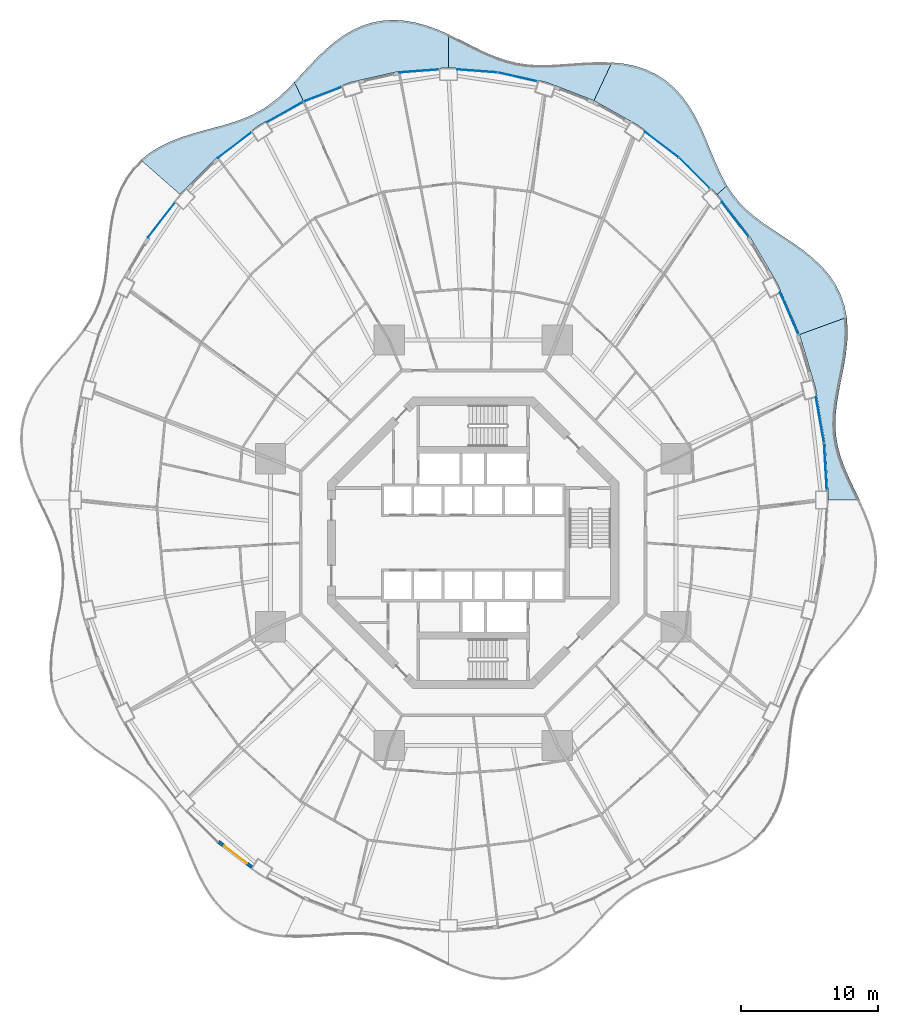
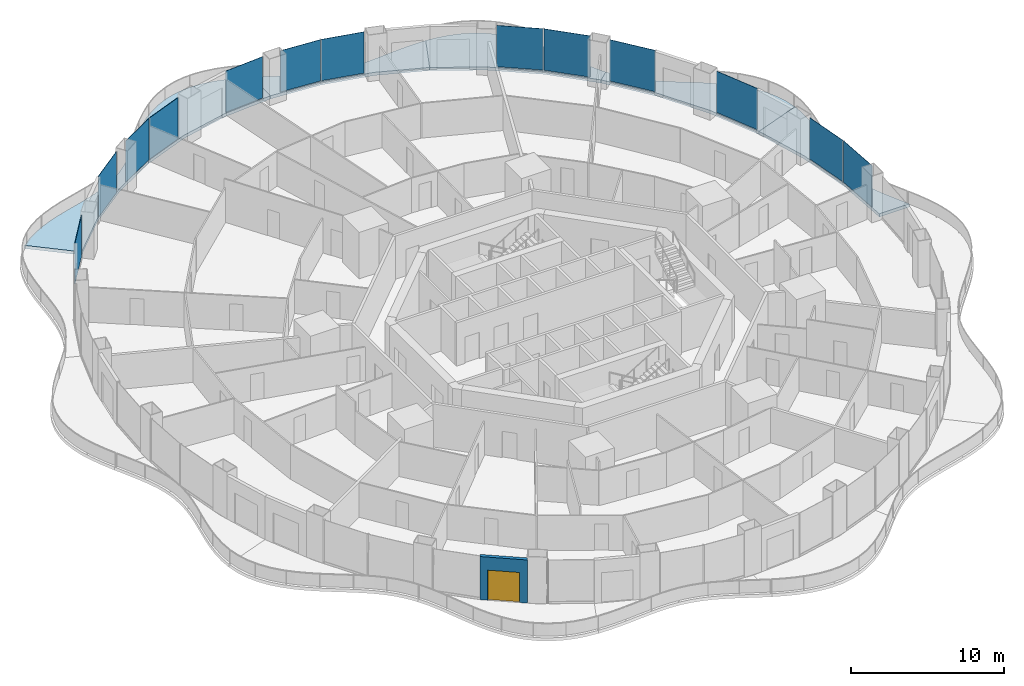
# One storey, part 13 of 22: 13 plates, 6 slabs, 1 door, 1 wall, 1 opening, 13 elements without a shape of their own.
"""IFC4 building model written with IfcOpenShell, lengths in metres."""

from ifc_helpers import new_model, si_unit, direction, frame, frame_2d, origin, origin_2d, place, context, subcontext, project, spatial, polyline, rectangle, outline, extrude, material, layer, layer_set, type_object, element, fill, aggregate, save


model = new_model("IFC4")

# Units and contexts
model_context = context("Model", 3, precision=1e-05, world=origin(), true_north=direction((0.0, 1.0)))
body_context = subcontext(model_context, "Body", "Model", "MODEL_VIEW")
ifc_project = project(units=[si_unit("LENGTHUNIT", "METRE"), si_unit("AREAUNIT", "SQUARE_METRE"), si_unit("VOLUMEUNIT", "CUBIC_METRE"), si_unit("PLANEANGLEUNIT", "RADIAN"), si_unit("MASSUNIT", "GRAM", prefix="KILO")], contexts=[model_context])

# Site, building, storey
site_placement = place(None, origin())
site = spatial("IfcSite", under=ifc_project, at=site_placement, CompositionType="ELEMENT")
building_placement = place(site_placement, origin())
building = spatial("IfcBuilding", under=site, at=building_placement, Name="Nagisa Residences", CompositionType="ELEMENT")
storey_placement = place(building_placement, frame((0.0, 0.0, 84.39990234375)))
storey = spatial("IfcBuildingStorey", under=building, at=storey_placement, Name="L20", CompositionType="ELEMENT", Elevation=84.39990234375)

# Slabs
ifc_material_1 = material(Name="Concrete C40/50", Category="concrete")
ifc_layer_1 = layer(ifc_material_1, 0.25)
ifc_layer_set_1 = layer_set([ifc_layer_1], Name="BALCONY SLAB 250")
slab_type = type_object("IfcSlabType", Name="BALCONY SLAB 250", PredefinedType="FLOOR", material=ifc_layer_set_1)
slab_1_placement = place(storey_placement, frame((0.0, 0.0, -0.25)))
element("IfcSlab", 1, at=slab_1_placement, inside=storey, type_object=slab_type, Name="slab:L20:bal00", PredefinedType="FLOOR", context=body_context, shape_type="SweptSolid", body=[
    extrude(outline(polyline([(28.16650390625, 3.11767578125), (27.776123046875, 3.92724609375), (27.3994140625, 4.721435546875), (27.060302734375, 5.503173828125), (26.779052734375, 6.27783203125), (26.570068359375, 7.05078125), (26.442138671875, 7.828857421875), (26.396728515625, 8.618408203125), (26.4287109375, 9.4248046875), (26.52587890625, 10.25146484375), (26.67138671875, 11.100341796875), (26.8427734375, 11.97021484375), (27.015625, 12.857421875), (27.1640625, 13.756103515625), (27.262939453125, 14.65771484375), (27.2900390625, 15.552734375), (27.226806640625, 16.43017578125), (23.786865234375, 15.177978515625), (24.951416015625, 11.2744140625), (25.657958984375, 7.231201171875), (25.89501953125, 3.11767578125), (28.16650390625, 3.11767578125)])), origin(), (0.0, 0.0, 1.0), 0.25),
])
slab_2_placement = place(storey_placement, frame((0.0, 0.0, -0.25)))
element("IfcSlab", 2, at=slab_2_placement, inside=storey, type_object=slab_type, Name="slab:L20:bal01", PredefinedType="FLOOR", context=body_context, shape_type="SweptSolid", body=[
    extrude(outline(polyline([(27.226806640625, 16.43017578125), (27.066650390625, 17.253662109375), (26.802734375, 18.041748046875), (26.434326171875, 18.787353515625), (25.967041015625, 19.4853515625), (25.41064453125, 20.1337890625), (24.78076171875, 20.733154296875), (24.095458984375, 21.288330078125), (23.3759765625, 21.80615234375), (22.643310546875, 22.297119140625), (21.91845703125, 22.773193359375), (21.219970703125, 23.247802734375), (20.563232421875, 23.734619140625), (19.959228515625, 24.24658203125), (19.414306640625, 24.795166015625), (18.92919921875, 25.388671875), (18.499755859375, 26.03173828125), (17.783203125, 25.402099609375), (20.171875, 22.302734375), (22.1845703125, 18.875244140625), (23.786865234375, 15.177978515625), (27.226806640625, 16.43017578125)])), origin(), (0.0, 0.0, 1.0), 0.25),
])
slab_3_placement = place(storey_placement, frame((0.0, 0.0, -0.25)))
element("IfcSlab", 3, at=slab_3_placement, inside=storey, type_object=slab_type, Name="slab:L20:bal02", PredefinedType="FLOOR", context=body_context, shape_type="SweptSolid", body=[
    extrude(outline(polyline([(18.499755859375, 26.03173828125), (18.134521484375, 26.692138671875), (17.80078125, 27.395263671875), (17.4853515625, 28.134765625), (17.173583984375, 28.900146484375), (16.849853515625, 29.678955078125), (16.499755859375, 30.455078125), (16.10986328125, 31.212646484375), (15.669677734375, 31.933837890625), (15.171142578125, 32.60302734375), (14.60986328125, 33.204833984375), (13.9853515625, 33.727783203125), (13.30029296875, 34.163330078125), (12.560546875, 34.507080078125), (11.77490234375, 34.75927734375), (10.95361328125, 34.9248046875), (10.1083984375, 35.01318359375), (8.79833984375, 32.233642578125), (12.047607421875, 30.410400390625), (15.0595703125, 28.1201171875), (17.783203125, 25.402099609375), (18.499755859375, 26.03173828125)])), origin(), (0.0, 0.0, 1.0), 0.25),
])
slab_4_placement = place(storey_placement, frame((0.0, 0.0, -0.25)))
element("IfcSlab", 4, at=slab_4_placement, inside=storey, type_object=slab_type, Name="slab:L20:bal03", PredefinedType="FLOOR", context=body_context, shape_type="SweptSolid", body=[
    extrude(outline(polyline([(10.1083984375, 35.01318359375), (9.282470703125, 35.037353515625), (8.455322265625, 35.016845703125), (7.635986328125, 34.9677734375), (6.831787109375, 34.907958984375), (6.04736328125, 34.854736328125), (5.28564453125, 34.824462890625), (4.546875, 34.831298828125), (3.828857421875, 34.88623046875), (3.127685546875, 34.9970703125), (2.438232421875, 35.166748046875), (1.753662109375, 35.393798828125), (1.06787109375, 35.673095703125), (0.3740234375, 35.994140625), (-0.332763671875, 36.343994140625), (-1.056884765625, 36.70556640625), (-1.800048828125, 37.061279296875), (-1.800048828125, 34.6328125), (1.81494140625, 34.363037109375), (5.367919921875, 33.558837890625), (8.79833984375, 32.233642578125), (10.1083984375, 35.01318359375)])), origin(), (0.0, 0.0, 1.0), 0.25),
])
slab_5_placement = place(storey_placement, frame((0.0, 0.0, -0.25)))
element("IfcSlab", 5, at=slab_5_placement, inside=storey, type_object=slab_type, Name="slab:L20:bal04", PredefinedType="FLOOR", context=body_context, shape_type="SweptSolid", body=[
    extrude(outline(polyline([(-1.800048828125, 37.061279296875), (-2.5625, 37.391357421875), (-3.34228515625, 37.67724609375), (-4.13525390625, 37.901611328125), (-4.93603515625, 38.049072265625), (-5.737060546875, 38.10791015625), (-6.53125, 38.070068359375), (-7.310791015625, 37.932373046875), (-8.068359375, 37.69580078125), (-8.7978515625, 37.36572265625), (-9.494873046875, 36.9521484375), (-10.157470703125, 36.46826171875), (-10.785400390625, 35.929443359375), (-11.381591796875, 35.353759765625), (-11.950439453125, 34.75927734375), (-12.498779296875, 34.164306640625), (-13.035400390625, 33.585205078125), (-12.3984375, 32.233642578125), (-8.968017578125, 33.558837890625), (-5.4150390625, 34.363037109375), (-1.800048828125, 34.6328125), (-1.800048828125, 37.061279296875)])), origin(), (0.0, 0.0, 1.0), 0.25),
])
slab_6_placement = place(storey_placement, frame((0.0, 0.0, -0.25)))
element("IfcSlab", 6, at=slab_6_placement, inside=storey, type_object=slab_type, Name="slab:L20:bal05", PredefinedType="FLOOR", context=body_context, shape_type="SweptSolid", body=[
    extrude(outline(polyline([(-13.035400390625, 33.585205078125), (-13.589599609375, 33.016357421875), (-14.15185546875, 32.492919921875), (-14.73291015625, 32.023193359375), (-15.34130859375, 31.61083984375), (-15.98388671875, 31.255126953125), (-16.6650390625, 30.951171875), (-17.385009765625, 30.689453125), (-18.141357421875, 30.457763671875), (-18.927734375, 30.24169921875), (-19.73486328125, 30.024658203125), (-20.550048828125, 29.791015625), (-21.359375, 29.525146484375), (-22.147216796875, 29.21337890625), (-22.898681640625, 28.844482421875), (-23.5986328125, 28.410888671875), (-24.234619140625, 27.90771484375), (-21.38330078125, 25.402099609375), (-18.65966796875, 28.1201171875), (-15.6474609375, 30.410400390625), (-12.3984375, 32.233642578125), (-13.035400390625, 33.585205078125)])), origin(), (0.0, 0.0, 1.0), 0.25),
])

# Curtain wall, plate
ifc_material_2 = material(Name="Concrete-coloured aluminium curtain wall system", Category="concrete")
ifc_layer_2 = layer(ifc_material_2, 0.159912109375)
ifc_layer_set_2 = layer_set([ifc_layer_2], Name="CW1 CURTAIN WALL")
curtain_wall_type = type_object("IfcCurtainWallType", Name="CW1 CURTAIN WALL", PredefinedType="NOTDEFINED", material=ifc_layer_set_2)
curtain_wall_1_placement = place(storey_placement, origin())
curtain_wall_1 = element("IfcCurtainWall", 7, at=curtain_wall_1_placement, inside=storey, type_object=curtain_wall_type, Name="cw:CW1:L20:00", PredefinedType="NOTDEFINED")
ifc_material_3 = material(Name="Clear laminated glass", Category="glass")
ifc_layer_3 = layer(ifc_material_3, 0.028076171875)
ifc_layer_set_3 = layer_set([ifc_layer_3], Name="CW1 GLASS PANEL")
plate_type = type_object("IfcPlateType", Name="CW1 GLASS PANEL", PredefinedType="CURTAIN_PANEL", material=ifc_layer_set_3)
plate_1_placement = place(storey_placement, frame((25.67626953125, 5.524169921875, 0.150146484375), z_axis=(0.0, 0.0, 1.0), x_axis=(-0.057503492216, 0.998345305184, 0.0)))
plate_1 = element("IfcPlate", 8, at=plate_1_placement, type_object=plate_type, Name="CW1 panel", PredefinedType="CURTAIN_PANEL", context=body_context, shape_type="SweptSolid", body=[
    extrude(rectangle(XDim=3.410400390625, YDim=0.028076171875, at=origin_2d()), origin(), (0.0, 0.0, 1.0), 3.2900390625),
])
aggregate(curtain_wall_1, [plate_1])

curtain_wall_2_placement = place(storey_placement, origin())
curtain_wall_2 = element("IfcCurtainWall", 9, at=curtain_wall_2_placement, inside=storey, type_object=curtain_wall_type, Name="cw:CW1:L20:01", PredefinedType="NOTDEFINED")
plate_2_placement = place(storey_placement, frame((25.276611328125, 8.948486328125, 0.150146484375), z_axis=(0.0, 0.0, 1.0), x_axis=(-0.172190868898, 0.985063604377, 0.0)))
plate_2 = element("IfcPlate", 10, at=plate_2_placement, type_object=plate_type, Name="CW1 panel", PredefinedType="CURTAIN_PANEL", context=body_context, shape_type="SweptSolid", body=[
    extrude(rectangle(XDim=3.39453125, YDim=0.028076171875, at=origin_2d()), origin(), (0.0, 0.0, 1.0), 3.2900390625),
])
aggregate(curtain_wall_2, [plate_2])

curtain_wall_3_placement = place(storey_placement, origin())
curtain_wall_3 = element("IfcCurtainWall", 11, at=curtain_wall_3_placement, inside=storey, type_object=curtain_wall_type, Name="cw:CW1:L20:03", PredefinedType="NOTDEFINED")
plate_3_placement = place(storey_placement, frame((23.029541015625, 16.72412109375, 0.150146484375), z_axis=(0.0, 0.0, 1.0), x_axis=(-0.397635934147, 0.917543276295, 0.0)))
plate_3 = element("IfcPlate", 12, at=plate_3_placement, type_object=plate_type, Name="CW1 panel", PredefinedType="CURTAIN_PANEL", context=body_context, shape_type="SweptSolid", body=[
    extrude(rectangle(XDim=3.319580078125, YDim=0.028076171875, at=origin_2d()), origin(), (0.0, 0.0, 1.0), 3.2900390625),
])
aggregate(curtain_wall_3, [plate_3])

curtain_wall_4_placement = place(storey_placement, origin())
curtain_wall_4 = element("IfcCurtainWall", 13, at=curtain_wall_4_placement, inside=storey, type_object=curtain_wall_type, Name="cw:CW1:L20:05", PredefinedType="NOTDEFINED")
plate_4_placement = place(storey_placement, frame((19.09423828125, 23.570068359375, 0.150146484375), z_axis=(0.0, 0.0, 1.0), x_axis=(-0.610429828235, 0.792070340816, 0.0)))
plate_4 = element("IfcPlate", 14, at=plate_4_placement, type_object=plate_type, Name="CW1 panel", PredefinedType="CURTAIN_PANEL", context=body_context, shape_type="SweptSolid", body=[
    extrude(rectangle(XDim=3.202880859375, YDim=0.028076171875, at=origin_2d()), origin(), (0.0, 0.0, 1.0), 3.2900390625),
])
aggregate(curtain_wall_4, [plate_4])

curtain_wall_5_placement = place(storey_placement, origin())
curtain_wall_5 = element("IfcCurtainWall", 15, at=curtain_wall_5_placement, inside=storey, type_object=curtain_wall_type, Name="cw:CW1:L20:06", PredefinedType="NOTDEFINED")
plate_5_placement = place(storey_placement, frame((16.11376953125, 26.955322265625, 0.150146484375), z_axis=(0.0, 0.0, 1.0), x_axis=(-0.707835924016, 0.706376885714, 0.0)))
plate_5 = element("IfcPlate", 16, at=plate_5_placement, type_object=plate_type, Name="CW1 panel", PredefinedType="CURTAIN_PANEL", context=body_context, shape_type="SweptSolid", body=[
    extrude(rectangle(XDim=3.137939453125, YDim=0.028076171875, at=origin_2d()), origin(), (0.0, 0.0, 1.0), 3.2900390625),
])
aggregate(curtain_wall_5, [plate_5])

curtain_wall_6_placement = place(storey_placement, origin())
curtain_wall_6 = element("IfcCurtainWall", 17, at=curtain_wall_6_placement, inside=storey, type_object=curtain_wall_type, Name="cw:CW1:L20:07", PredefinedType="NOTDEFINED")
plate_6_placement = place(storey_placement, frame((13.739990234375, 29.023193359375, 0.150146484375), z_axis=(0.0, 0.0, 1.0), x_axis=(-0.79603132756, 0.605255421737, 0.0)))
plate_6 = element("IfcPlate", 18, at=plate_6_placement, type_object=plate_type, Name="CW1 panel", PredefinedType="CURTAIN_PANEL", context=body_context, shape_type="SweptSolid", body=[
    extrude(rectangle(XDim=3.073974609375, YDim=0.028076171875, at=origin_2d()), origin(), (0.0, 0.0, 1.0), 3.2900390625),
])
aggregate(curtain_wall_6, [plate_6])

curtain_wall_7_placement = place(storey_placement, origin())
curtain_wall_7 = element("IfcCurtainWall", 19, at=curtain_wall_7_placement, inside=storey, type_object=curtain_wall_type, Name="cw:CW1:L20:10", PredefinedType="NOTDEFINED")
plate_7_placement = place(storey_placement, frame((3.2275390625, 33.96142578125, 0.150146484375), z_axis=(0.0, 0.0, 1.0), x_axis=(-0.975327274089, 0.2207639201, 0.0)))
plate_7 = element("IfcPlate", 20, at=plate_7_placement, type_object=plate_type, Name="CW1 panel", PredefinedType="CURTAIN_PANEL", context=body_context, shape_type="SweptSolid", body=[
    extrude(rectangle(XDim=2.932861328125, YDim=0.028076171875, at=origin_2d()), origin(), (0.0, 0.0, 1.0), 3.2900390625),
])
aggregate(curtain_wall_7, [plate_7])

curtain_wall_8_placement = place(storey_placement, origin())
curtain_wall_8 = element("IfcCurtainWall", 21, at=curtain_wall_8_placement, inside=storey, type_object=curtain_wall_type, Name="cw:CW1:L20:11", PredefinedType="NOTDEFINED")
plate_8_placement = place(storey_placement, frame((0.295654296875, 34.396240234375, 0.150146484375), z_axis=(0.0, 0.0, 1.0), x_axis=(-0.997230168512, 0.074377355493, 0.0)))
plate_8 = element("IfcPlate", 22, at=plate_8_placement, type_object=plate_type, Name="CW1 panel", PredefinedType="CURTAIN_PANEL", context=body_context, shape_type="SweptSolid", body=[
    extrude(rectangle(XDim=2.9150390625, YDim=0.028076171875, at=origin_2d()), origin(), (0.0, 0.0, 1.0), 3.2900390625),
])
aggregate(curtain_wall_8, [plate_8])

curtain_wall_9_placement = place(storey_placement, origin())
curtain_wall_9 = element("IfcCurtainWall", 23, at=curtain_wall_9_placement, inside=storey, type_object=curtain_wall_type, Name="cw:CW1:L20:12", PredefinedType="NOTDEFINED")
plate_9_placement = place(storey_placement, frame((-3.95556640625, 34.3916015625, 0.150146484375), z_axis=(0.0, 0.0, 1.0), x_axis=(-0.997230168512, -0.074377355493, 0.0)))
plate_9 = element("IfcPlate", 24, at=plate_9_placement, type_object=plate_type, Name="CW1 panel", PredefinedType="CURTAIN_PANEL", context=body_context, shape_type="SweptSolid", body=[
    extrude(rectangle(XDim=2.9150390625, YDim=0.028076171875, at=origin_2d()), origin(), (0.0, 0.0, 1.0), 3.2900390625),
])
aggregate(curtain_wall_9, [plate_9])

curtain_wall_10_placement = place(storey_placement, origin())
curtain_wall_10 = element("IfcCurtainWall", 25, at=curtain_wall_10_placement, inside=storey, type_object=curtain_wall_type, Name="cw:CW1:L20:14", PredefinedType="NOTDEFINED")
plate_10_placement = place(storey_placement, frame((-10.985595703125, 32.69384765625, 0.150146484375), z_axis=(0.0, 0.0, 1.0), x_axis=(-0.932825759707, -0.360327770268, 0.0)))
plate_10 = element("IfcPlate", 26, at=plate_10_placement, type_object=plate_type, Name="CW1 panel", PredefinedType="CURTAIN_PANEL", context=body_context, shape_type="SweptSolid", body=[
    extrude(rectangle(XDim=2.967529296875, YDim=0.028076171875, at=origin_2d()), origin(), (0.0, 0.0, 1.0), 3.2900390625),
])
aggregate(curtain_wall_10, [plate_10])

curtain_wall_11_placement = place(storey_placement, origin())
curtain_wall_11 = element("IfcCurtainWall", 27, at=curtain_wall_11_placement, inside=storey, type_object=curtain_wall_type, Name="cw:CW1:L20:15", PredefinedType="NOTDEFINED")
plate_11_placement = place(storey_placement, frame((-13.7265625, 31.396728515625, 0.150146484375), z_axis=(0.0, 0.0, 1.0), x_axis=(-0.872072377523, -0.489376918501, 0.0)))
plate_11 = element("IfcPlate", 28, at=plate_11_placement, type_object=plate_type, Name="CW1 panel", PredefinedType="CURTAIN_PANEL", context=body_context, shape_type="SweptSolid", body=[
    extrude(rectangle(XDim=3.015625, YDim=0.028076171875, at=origin_2d()), origin(), (0.0, 0.0, 1.0), 3.2900390625),
])
aggregate(curtain_wall_11, [plate_11])

curtain_wall_12_placement = place(storey_placement, origin())
curtain_wall_12 = element("IfcCurtainWall", 29, at=curtain_wall_12_placement, inside=storey, type_object=curtain_wall_type, Name="cw:CW1:L20:16", PredefinedType="NOTDEFINED")
plate_12_placement = place(storey_placement, frame((-17.3876953125, 28.98681640625, 0.150146484375), z_axis=(0.0, 0.0, 1.0), x_axis=(-0.79603132756, -0.605255421737, 0.0)))
plate_12 = element("IfcPlate", 30, at=plate_12_placement, type_object=plate_type, Name="CW1 panel", PredefinedType="CURTAIN_PANEL", context=body_context, shape_type="SweptSolid", body=[
    extrude(rectangle(XDim=3.073974609375, YDim=0.028076171875, at=origin_2d()), origin(), (0.0, 0.0, 1.0), 3.2900390625),
])
aggregate(curtain_wall_12, [plate_12])

curtain_wall_13_placement = place(storey_placement, origin())
curtain_wall_13 = element("IfcCurtainWall", 31, at=curtain_wall_13_placement, inside=storey, type_object=curtain_wall_type, Name="cw:CW1:L20:18", PredefinedType="NOTDEFINED")
plate_13_placement = place(storey_placement, frame((-22.73095703125, 23.5224609375, 0.150146484375), z_axis=(0.0, 0.0, 1.0), x_axis=(-0.610429828235, -0.792070340816, 0.0)))
plate_13 = element("IfcPlate", 32, at=plate_13_placement, type_object=plate_type, Name="CW1 panel", PredefinedType="CURTAIN_PANEL", context=body_context, shape_type="SweptSolid", body=[
    extrude(rectangle(XDim=3.202880859375, YDim=0.028076171875, at=origin_2d()), origin(), (0.0, 0.0, 1.0), 3.2900390625),
])
aggregate(curtain_wall_13, [plate_13])

# Wall, opening, door
ifc_material_4 = material(Name="Precast concrete C40/50", Category="concrete")
ifc_layer_4 = layer(ifc_material_4, 0.25)
ifc_layer_set_4 = layer_set([ifc_layer_4], Name="BALCONY DOOR WALL 250")
wall_type = type_object("IfcWallType", Name="BALCONY DOOR WALL 250", PredefinedType="SOLIDWALL", material=ifc_layer_set_4)
wall_placement = place(storey_placement, frame((-16.08935546875, -23.68212890625, 0.0), z_axis=(0.0, 0.0, 1.0), x_axis=(-0.796037575978, 0.605247203736, 0.0)))
wall = element("IfcWall", 33, at=wall_placement, inside=storey, type_object=wall_type, Name="wall:L20:bay31", PredefinedType="SOLIDWALL", context=body_context, shape_type="SweptSolid", body=[
    extrude(rectangle(XDim=3.1337890625, YDim=0.25, at=frame_2d((1.56689453125, 0.0))), origin(), (0.0, 0.0, 1.0), 3.440185546875),
])
opening_placement = place(wall_placement, frame((0.51708984375, 0.0, 0.0)))
opening = element("IfcOpeningElement", 34, at=opening_placement, cuts=wall, Name="Opening BD-L20-11", PredefinedType="OPENING", context=body_context, shape_type="SweptSolid", body=[
    extrude(rectangle(XDim=2.10009765625, YDim=2.39990234375, at=frame_2d((1.050048828125, 1.199951171875))), frame((0.0, 0.135009765625, 0.0), z_axis=(0.0, -1.0, 0.0), x_axis=(1.0, 0.0, 0.0)), (0.0, 0.0, 1.0), 0.27001953125),
])
ifc_material_5 = material(Name="Aluminium and clear glass", Category="aluminium")
door_type = type_object("IfcDoorType", Name="BALCONY SLIDING DOOR 2100x2400", OperationType="SLIDING_TO_LEFT", PredefinedType="DOOR", material=ifc_material_5)
door_placement = place(opening_placement, origin())
door = element("IfcDoor", 35, at=door_placement, inside=storey, type_object=door_type, Name="door:L20:bay31", OperationType="SLIDING_TO_LEFT", OverallHeight=2.39990234375, OverallWidth=2.10009765625, PredefinedType="DOOR", context=body_context, shape_type="SweptSolid", body=[
    extrude(rectangle(XDim=2.10009765625, YDim=2.39990234375, at=frame_2d((1.050048828125, 1.199951171875))), frame((0.0, 0.02490234375, 0.0), z_axis=(0.0, -1.0, 0.0), x_axis=(1.0, 0.0, 0.0)), (0.0, 0.0, 1.0), 0.050048828125),
])
fill(opening, door)

save(model, "model.ifc")
